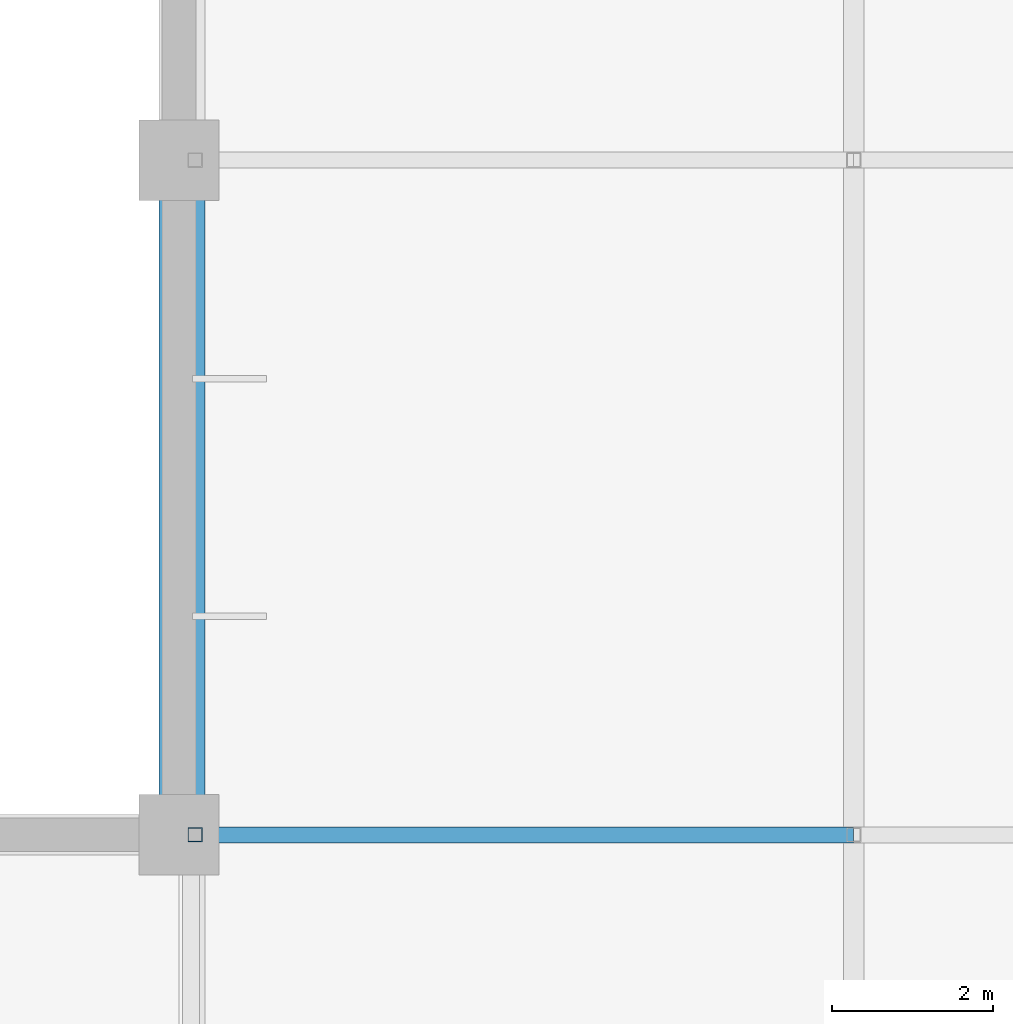
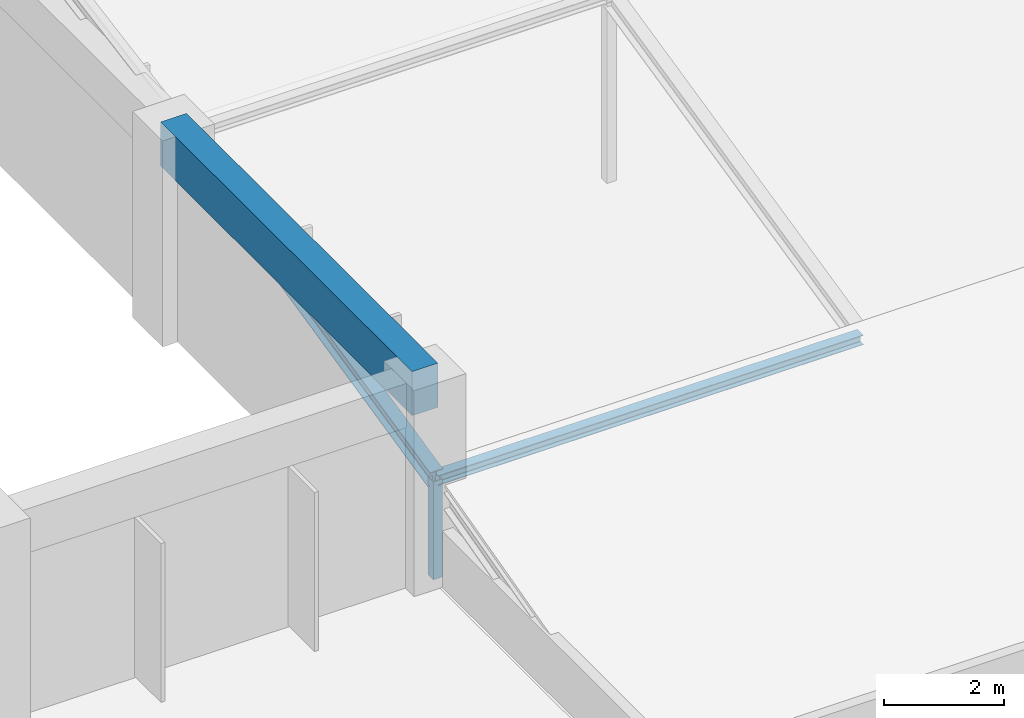
# One storey, part 5 of 34: 3 members, 1 beam.
"""IFC4 building model written with IfcOpenShell, lengths in metres."""

import ifcopenshell
import ifcopenshell.guid

model = None  # the IFC model being written
_history = None  # IfcOwnerHistory: only IFC2X3 demands one
_inside = {}  # id of a spatial element -> (the spatial element, [elements in it])
_under = {}  # id of a project, library or spatial element -> (it, [spatial elements below it])
_declared = {}  # id of a project -> (the project, [libraries it declares])
_typed = {}  # id of a type object -> (the type object, [elements of that type])
_made_of = {}  # id of a material, layer set ... -> (it, [elements and type objects made of it])


def new_model(schema):
    """Start an empty IFC model of exactly this schema.

    Asked for "IFC4X3", IfcOpenShell would pick the latest addendum, in which some entities
    have other attributes; the version numbers below select the first issue.
    IFC2X3 requires an IfcOwnerHistory on every rooted entity: one is made here for all.
    """
    global model, _history
    if schema == "IFC4X3":
        model = ifcopenshell.file(schema_version=(4, 3, 0, 0))
    else:
        model = ifcopenshell.file(schema=schema)
    _inside.clear()
    _under.clear()
    _declared.clear()
    _typed.clear()
    _made_of.clear()
    _history = None
    if model.schema == "IFC2X3":
        org = make("IfcOrganization", Name="unknown")
        user = make(
            "IfcPersonAndOrganization",
            ThePerson=make("IfcPerson", FamilyName="unknown"),
            TheOrganization=org,
        )
        app = make(
            "IfcApplication",
            ApplicationDeveloper=org,
            Version="unknown",
            ApplicationFullName="unknown",
            ApplicationIdentifier="unknown",
        )
        _history = make(
            "IfcOwnerHistory",
            OwningUser=user,
            OwningApplication=app,
            ChangeAction="ADDED",
            CreationDate=0,
        )
    return model


def make(cls, **values):
    """One entity of the class cls with the attributes given. An attribute that is None is left unset."""
    return model.create_entity(
        cls, **{name: value for name, value in values.items() if value is not None}
    )


def rooted(cls, **values):
    """An entity with a GlobalId (a new one), such as an element, a storey or a relation."""
    return make(cls, GlobalId=ifcopenshell.guid.new(), OwnerHistory=_history, **values)


def si_unit(unit_type, name, prefix=None):
    """IfcSIUnit, for example si_unit("LENGTHUNIT", "METRE", prefix="MILLI")."""
    return make("IfcSIUnit", UnitType=unit_type, Prefix=prefix, Name=name)


def assignment(units):
    """IfcUnitAssignment: the units of a project."""
    return None if units is None else make("IfcUnitAssignment", Units=units)


def point(xyz):
    """IfcCartesianPoint."""
    return None if xyz is None else make("IfcCartesianPoint", Coordinates=xyz)


def direction(xyz):
    """IfcDirection."""
    return None if xyz is None else make("IfcDirection", DirectionRatios=xyz)


def frame(location, z_axis=None, x_axis=None):
    """IfcAxis2Placement3D, a coordinate frame: its origin and axes. An axis left out is left unset."""
    return make(
        "IfcAxis2Placement3D",
        Location=point(location),
        Axis=direction(z_axis),
        RefDirection=direction(x_axis),
    )


def frame_2d(location, x_axis=None):
    """IfcAxis2Placement2D, a coordinate frame in the plane: its origin and x axis."""
    return make(
        "IfcAxis2Placement2D", Location=point(location), RefDirection=direction(x_axis)
    )


def origin():
    """The frame at (0, 0, 0) with its axes left unset."""
    return frame((0.0, 0.0, 0.0))


def origin_2d():
    """The frame at (0, 0) in the plane with its x axis left unset."""
    return frame_2d((0.0, 0.0))


def place(relative_to, where):
    """IfcLocalPlacement: puts the frame where relative to a parent placement (None: the world)."""
    return make(
        "IfcLocalPlacement", PlacementRelTo=relative_to, RelativePlacement=where
    )


def context(
    kind, dimensions, precision=None, world=None, true_north=None, identifier=None
):
    """IfcGeometricRepresentationContext, for example the 3D "Model" context."""
    return make(
        "IfcGeometricRepresentationContext",
        ContextIdentifier=identifier,
        ContextType=kind,
        CoordinateSpaceDimension=dimensions,
        Precision=precision,
        WorldCoordinateSystem=world,
        TrueNorth=true_north,
    )


def subcontext(parent, identifier, kind, view, scale=None):
    """IfcGeometricRepresentationSubContext, for example "Body" below "Model"."""
    return make(
        "IfcGeometricRepresentationSubContext",
        ContextIdentifier=identifier,
        ContextType=kind,
        ParentContext=parent,
        TargetScale=scale,
        TargetView=view,
    )


def project(units=None, contexts=None):
    """IfcProject with its units and contexts."""
    return rooted(
        "IfcProject",
        Name="project",
        RepresentationContexts=contexts,
        UnitsInContext=assignment(units),
    )


def spatial(cls, under=None, at=None, **own):
    """A site, building, storey or space (cls), placed at a placement, below another one or the project."""
    s = rooted(cls, ObjectPlacement=at, **own)
    if under is not None:
        _under.setdefault(under.id(), (under, []))[1].append(s)
    return s


def profile(cls, at=None, kind="AREA", **sizes):
    """A parametric profile (cls). Its sizes go by their IFC names, for example OverallWidth=200.0."""
    return make(cls, ProfileType=kind, Position=at, **sizes)


def rectangle(**sizes):
    """IfcRectangleProfileDef."""
    return profile("IfcRectangleProfileDef", **sizes)


def hollow_rectangle(**sizes):
    """IfcRectangleHollowProfileDef."""
    return profile("IfcRectangleHollowProfileDef", **sizes)


def i_section(**sizes):
    """IfcIShapeProfileDef."""
    return profile("IfcIShapeProfileDef", **sizes)


def extrude(swept, where, along, depth):
    """IfcExtrudedAreaSolid: the profile swept, set in the frame where, extruded along a direction by depth."""
    return make(
        "IfcExtrudedAreaSolid",
        SweptArea=swept,
        Position=where,
        ExtrudedDirection=direction(along),
        Depth=depth,
    )


def shape(context_of_items, identifier, shape_type, items):
    """IfcShapeRepresentation: the items that make up one representation, for example the "Body"."""
    return make(
        "IfcShapeRepresentation",
        ContextOfItems=context_of_items,
        RepresentationIdentifier=identifier,
        RepresentationType=shape_type,
        Items=items,
    )


def material(Name=None, Category=None):
    """IfcMaterial."""
    return make("IfcMaterial", Name=Name, Category=Category)


def material_profile(
    of_material, cross_section, Name=None, Category=None, Priority=None
):
    """IfcMaterialProfile: a cross section and its material."""
    return make(
        "IfcMaterialProfile",
        Name=Name,
        Material=of_material,
        Profile=cross_section,
        Priority=Priority,
        Category=Category,
    )


def profile_set(profiles, Name=None, composite=None):
    """IfcMaterialProfileSet."""
    return make(
        "IfcMaterialProfileSet",
        Name=Name,
        MaterialProfiles=profiles,
        CompositeProfile=composite,
    )


def made_of(thing, what):
    """Note that an element or type object is made of a material, layer set ...; save() writes the relation."""
    if what is not None:
        _made_of.setdefault(what.id(), (what, []))[1].append(thing)
    return thing


def type_object(cls, material=None, **own):
    """A type object (cls), such as IfcWallType, which elements share."""
    return made_of(rooted(cls, **own), material)


def element(
    cls,
    number,
    at=None,
    inside=None,
    cuts=None,
    type_object=None,
    material=None,
    context=None,
    identifier="Body",
    shape_type=None,
    held_by="IfcProductDefinitionShape",
    body=None,
    shapes=None,
    **own,
):
    """One element of the class cls, such as IfcWall. Its Tag is "e" and its number.

    at: its placement. inside: the storey or other place that contains it. cuts: it is an
    opening in that element (IfcRelVoidsElement). A single representation is given by context,
    identifier, shape_type and body (its items); several are given by shapes. held_by: the class
    of the entity that holds the representations. save() writes the other relations.
    """
    e = rooted(cls, Tag="e%d" % number, ObjectPlacement=at, **own)
    if body is not None:
        shapes = [shape(context, identifier, shape_type, body)]
    if shapes is not None:
        e.Representation = make(held_by, Representations=shapes)
    if inside is not None:
        _inside.setdefault(inside.id(), (inside, []))[1].append(e)
    if cuts is not None:
        rooted(
            "IfcRelVoidsElement", RelatingBuildingElement=cuts, RelatedOpeningElement=e
        )
    if type_object is not None:
        _typed.setdefault(type_object.id(), (type_object, []))[1].append(e)
    return made_of(e, material)


def aggregate(whole, parts):
    """IfcRelAggregates: a whole, such as a stair, and the parts it consists of."""
    return rooted("IfcRelAggregates", RelatingObject=whole, RelatedObjects=parts)


def save(model, path):
    """Write the relations noted so far, then the file.

    IfcRelAggregates (storeys below a building ...), IfcRelContainedInSpatialStructure (elements
    in a storey), IfcRelDefinesByType, IfcRelAssociatesMaterial and IfcRelDeclares: one each for
    every whole, place, type object, material and project.
    """
    for whole, parts in _under.values():
        aggregate(whole, parts)
    for where, things in _inside.values():
        rooted(
            "IfcRelContainedInSpatialStructure",
            RelatedElements=things,
            RelatingStructure=where,
        )
    for kind, things in _typed.values():
        rooted("IfcRelDefinesByType", RelatedObjects=things, RelatingType=kind)
    for what, things in _made_of.values():
        rooted("IfcRelAssociatesMaterial", RelatedObjects=things, RelatingMaterial=what)
    for by, libraries in _declared.values():
        rooted("IfcRelDeclares", RelatingContext=by, RelatedDefinitions=libraries)
    model.write(path)


model = new_model("IFC4")

# Units and contexts
model_context = context("Model", 3, precision=1e-05, world=origin(), true_north=direction((0.0, 1.0)))
body_context = subcontext(model_context, "Body", "Model", "MODEL_VIEW")
ifc_project = project(units=[si_unit("LENGTHUNIT", "METRE"), si_unit("AREAUNIT", "SQUARE_METRE"), si_unit("VOLUMEUNIT", "CUBIC_METRE"), si_unit("PLANEANGLEUNIT", "RADIAN"), si_unit("MASSUNIT", "GRAM", prefix="KILO")], contexts=[model_context])

# Site, building, storey
site_placement = place(None, origin())
site = spatial("IfcSite", under=ifc_project, at=site_placement, CompositionType="ELEMENT")
building_placement = place(site_placement, origin())
building = spatial("IfcBuilding", under=site, at=building_placement, Name="Xuanlan Plaza Opera House", CompositionType="ELEMENT")
storey_placement = place(building_placement, frame((0.0, 0.0, 27.89990234375)))
storey = spatial("IfcBuildingStorey", under=building, at=storey_placement, Name="L06", CompositionType="ELEMENT", Elevation=27.89990234375)

# Beam
ifc_material_1 = material(Name="Concrete C40", Category="concrete")
ifc_material_profile_1 = material_profile(ifc_material_1, rectangle(XDim=0.5, YDim=0.89990234375, at=origin_2d()), Name="RC-BM 500x900")
ifc_profile_set_1 = profile_set([ifc_material_profile_1], Name="Concrete C40")
beam_type = type_object("IfcBeamType", Name="STR-BM-B-03", PredefinedType="BEAM", material=ifc_profile_set_1)
beam_placement = place(storey_placement, frame((67.199951171875, 42.0, 3.75), z_axis=(0.0, 1.0, 0.0), x_axis=(-1.0, 0.0, 0.0)))
element("IfcBeam", 1, at=beam_placement, inside=storey, type_object=beam_type, Name="Fly Tower Ring Beam Y L06 9/F-G", PredefinedType="BEAM", context=body_context, shape_type="SweptSolid", body=[
    extrude(rectangle(XDim=0.5, YDim=0.89990234375, at=origin_2d()), origin(), (0.0, 0.0, 1.0), 8.39990234375),
])

# Members
ifc_material_2 = material(Name="Steel Q355B", Category="steel")
ifc_material_profile_2 = material_profile(ifc_material_2, hollow_rectangle(XDim=0.179931640625, YDim=0.179931640625, WallThickness=0.010009765625, at=origin_2d()), Name="SHS 180x180x10")
ifc_profile_set_2 = profile_set([ifc_material_profile_2], Name="Steel Q355B")
member_type_1 = type_object("IfcMemberType", Name="STR-MEM-ST-M2", PredefinedType="STRUT", material=ifc_profile_set_2)
member_1_placement = place(storey_placement, frame((67.39990234375, 42.0, -0.119873046875), z_axis=(0.0, 0.0, 1.0), x_axis=(1.0, 0.0, 0.0)))
element("IfcMember", 2, at=member_1_placement, inside=storey, type_object=member_type_1, Name="Auditorium Vault Arch Post 01-1", PredefinedType="STRUT", context=body_context, shape_type="SweptSolid", body=[
    extrude(hollow_rectangle(XDim=0.179931640625, YDim=0.179931640625, WallThickness=0.010009765625, at=origin_2d()), origin(), (0.0, 0.0, 1.0), 2.0),
])
ifc_material_profile_3 = material_profile(ifc_material_2, i_section(OverallWidth=0.25, OverallDepth=0.340087890625, WebThickness=0.009033203125, FlangeThickness=0.013916015625, FilletRadius=0.01611328125, at=origin_2d()), Name="HM 340x250x9x14")
ifc_profile_set_3 = profile_set([ifc_material_profile_3], Name="Steel Q355B")
member_type_2 = type_object("IfcMemberType", Name="STR-MEM-TC-01", PredefinedType="CHORD", material=ifc_profile_set_3)
member_2_placement = place(storey_placement, frame((67.39990234375, 42.0, 1.880126953125), z_axis=(0.0, 0.975362349764, 0.220608899781), x_axis=(-1.0, 0.0, 0.0)))
element("IfcMember", 3, at=member_2_placement, inside=storey, type_object=member_type_2, Name="Auditorium Parabolic Vault Arch Chord 01-2", PredefinedType="CHORD", context=body_context, shape_type="SweptSolid", body=[
    extrude(i_section(OverallWidth=0.25, OverallDepth=0.340087890625, WebThickness=0.009033203125, FlangeThickness=0.013916015625, FilletRadius=0.01611328125, at=origin_2d()), origin(), (0.0, 0.0, 1.0), 8.612060546875),
])
ifc_material_profile_4 = material_profile(ifc_material_2, i_section(OverallWidth=0.199951171875, OverallDepth=0.199951171875, WebThickness=0.008056640625, FlangeThickness=0.011962890625, FilletRadius=0.012939453125, at=origin_2d()), Name="HW 200x200x8x12")
ifc_profile_set_4 = profile_set([ifc_material_profile_4], Name="Steel Q355B")
member_type_3 = type_object("IfcMemberType", Name="STR-MEM-TC-02", PredefinedType="CHORD", material=ifc_profile_set_4)
member_3_placement = place(storey_placement, frame((67.39990234375, 42.0, 1.880126953125), z_axis=(1.0, 0.0, 0.0), x_axis=(0.0, 1.0, 0.0)))
element("IfcMember", 4, at=member_3_placement, inside=storey, type_object=member_type_3, Name="Auditorium Vault Longitudinal Chord 01-1", PredefinedType="CHORD", context=body_context, shape_type="SweptSolid", body=[
    extrude(i_section(OverallWidth=0.199951171875, OverallDepth=0.199951171875, WebThickness=0.008056640625, FlangeThickness=0.011962890625, FilletRadius=0.012939453125, at=origin_2d()), origin(), (0.0, 0.0, 1.0), 8.2001953125),
])

save(model, "model.ifc")
